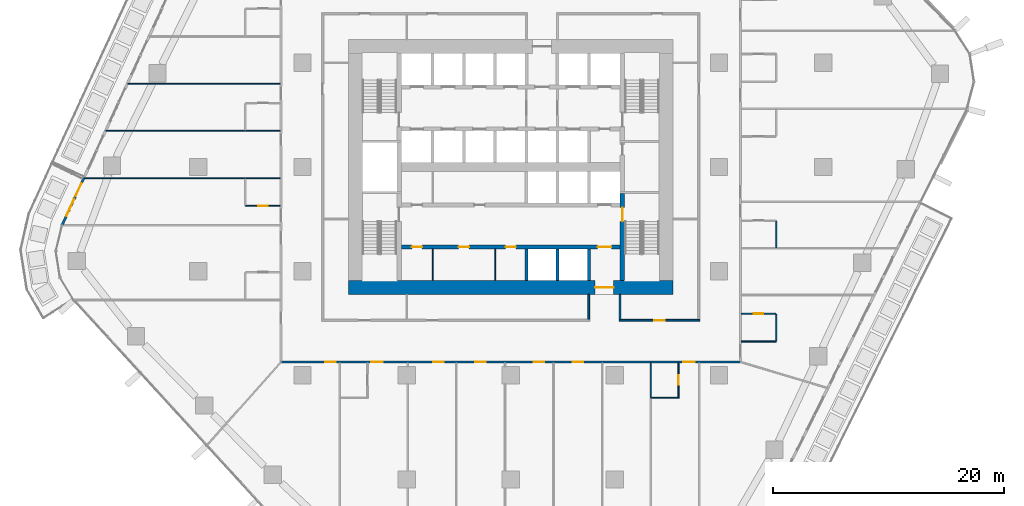
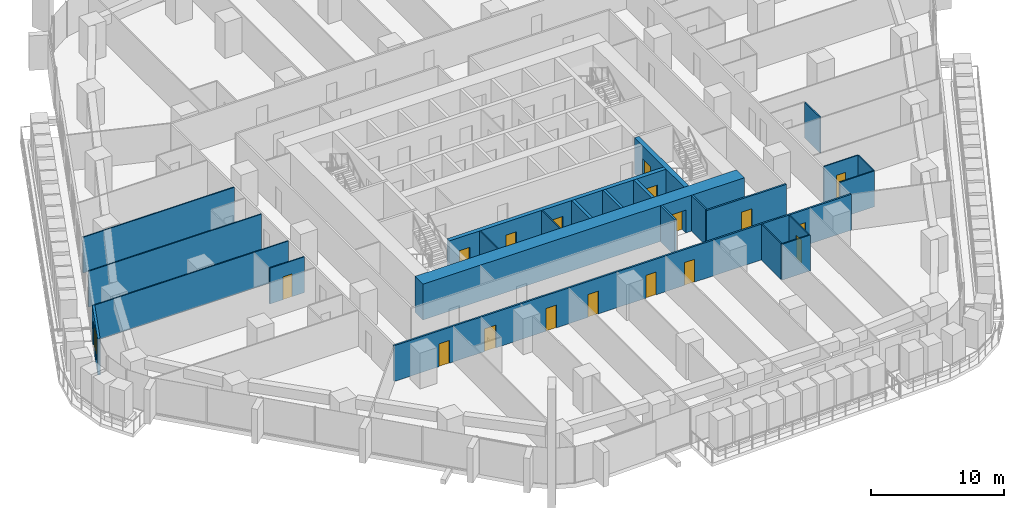
# One storey, part 14 of 27: 24 walls, 18 doors, 1 window, 19 openings.
"""IFC4 building model written with IfcOpenShell, lengths in metres."""

from ifc_helpers import new_model, si_unit, direction, frame, frame_2d, origin, place, context, subcontext, project, spatial, rectangle, extrude, material, layer, layer_set, type_object, element, fill, save


model = new_model("IFC4")

# Units and contexts
model_context = context("Model", 3, precision=1e-05, world=origin(), true_north=direction((0.0, 1.0)))
body_context = subcontext(model_context, "Body", "Model", "MODEL_VIEW")
ifc_project = project(units=[si_unit("LENGTHUNIT", "METRE"), si_unit("AREAUNIT", "SQUARE_METRE"), si_unit("VOLUMEUNIT", "CUBIC_METRE"), si_unit("PLANEANGLEUNIT", "RADIAN"), si_unit("MASSUNIT", "GRAM", prefix="KILO")], contexts=[model_context])

# Site, building, storey
site_placement = place(None, origin())
site = spatial("IfcSite", under=ifc_project, at=site_placement, CompositionType="ELEMENT")
building_placement = place(site_placement, origin())
building = spatial("IfcBuilding", under=site, at=building_placement, Name="Dongbaek Canopy Tower", CompositionType="ELEMENT")
storey_placement = place(building_placement, frame((0.0, 0.0, 55.10009765625)))
storey = spatial("IfcBuildingStorey", under=building, at=storey_placement, Name="L09", CompositionType="ELEMENT", Elevation=55.10009765625)

# Wall, openings, doors
ifc_material_1 = material(Name="Concrete C60/75", Category="concrete")
ifc_layer_1 = layer(ifc_material_1, 0.35009765625)
ifc_layer_set_1 = layer_set([ifc_layer_1], Name="Core lobby wall 350 Concrete C60/75")
wall_type_1 = type_object("IfcWallType", Name="Core lobby wall 350 Concrete C60/75", PredefinedType="SHEAR", material=ifc_layer_set_1)
wall_1_placement = place(storey_placement, frame((9.449951171875, -6.89990234375, 0.0), z_axis=(0.0, 0.0, 1.0), x_axis=(-1.0, 0.0, 0.0)))
wall_1 = element("IfcWall", 1, at=wall_1_placement, inside=storey, type_object=wall_type_1, Name="Core wall", PredefinedType="SHEAR", context=body_context, shape_type="SweptSolid", body=[
    extrude(rectangle(XDim=18.89990234375, YDim=0.35009765625, at=frame_2d((9.449951171875, 0.0))), origin(), (0.0, 0.0, 1.0), 3.2998046875),
])
opening_1_placement = place(wall_1_placement, frame((0.75, 0.0, 0.0)))
opening_1 = element("IfcOpeningElement", 2, at=opening_1_placement, cuts=wall_1, Name="Opening L09-D062", PredefinedType="OPENING", context=body_context, shape_type="SweptSolid", body=[
    extrude(rectangle(XDim=1.199951171875, YDim=2.10009765625, at=frame_2d((0.60009765625, 1.050048828125))), frame((0.0, 0.18505859375, 0.0), z_axis=(0.0, -1.0, 0.0), x_axis=(1.0, 0.0, 0.0)), (0.0, 0.0, 1.0), 0.3701171875),
])
opening_2_placement = place(wall_1_placement, frame((17.10009765625, 0.0, 0.0)))
opening_2 = element("IfcOpeningElement", 3, at=opening_2_placement, cuts=wall_1, Name="Opening L09-D065", PredefinedType="OPENING", context=body_context, shape_type="SweptSolid", body=[
    extrude(rectangle(XDim=0.89990234375, YDim=2.10009765625, at=frame_2d((0.449951171875, 1.050048828125))), frame((0.0, 0.18505859375, 0.0), z_axis=(0.0, -1.0, 0.0), x_axis=(1.0, 0.0, 0.0)), (0.0, 0.0, 1.0), 0.3701171875),
])
opening_3_placement = place(wall_1_placement, frame((13.050048828125, 0.0, 0.0)))
opening_3 = element("IfcOpeningElement", 4, at=opening_3_placement, cuts=wall_1, Name="Opening L09-D066", PredefinedType="OPENING", context=body_context, shape_type="SweptSolid", body=[
    extrude(rectangle(XDim=0.89990234375, YDim=2.10009765625, at=frame_2d((0.449951171875, 1.050048828125))), frame((0.0, 0.18505859375, 0.0), z_axis=(0.0, -1.0, 0.0), x_axis=(1.0, 0.0, 0.0)), (0.0, 0.0, 1.0), 0.3701171875),
])
opening_4_placement = place(wall_1_placement, frame((9.0, 0.0, 0.0)))
opening_4 = element("IfcOpeningElement", 5, at=opening_4_placement, cuts=wall_1, Name="Opening L09-D067", PredefinedType="OPENING", context=body_context, shape_type="SweptSolid", body=[
    extrude(rectangle(XDim=0.89990234375, YDim=2.10009765625, at=frame_2d((0.449951171875, 1.050048828125))), frame((0.0, 0.18505859375, 0.0), z_axis=(0.0, -1.0, 0.0), x_axis=(1.0, 0.0, 0.0)), (0.0, 0.0, 1.0), 0.3701171875),
])
ifc_material_2 = material(Name="Steel", Category="steel")
door_type_1 = type_object("IfcDoorType", Name="Core room door 900 x 2100", OperationType="SINGLE_SWING_LEFT", PredefinedType="DOOR", material=ifc_material_2)
door_1_placement = place(opening_2_placement, origin())
door_1 = element("IfcDoor", 6, at=door_1_placement, inside=storey, type_object=door_type_1, Name="Door L09-D065", OperationType="SINGLE_SWING_RIGHT", OverallHeight=2.10009765625, OverallWidth=0.89990234375, PredefinedType="DOOR", context=body_context, shape_type="SweptSolid", body=[
    extrude(rectangle(XDim=0.89990234375, YDim=2.10009765625, at=frame_2d((0.449951171875, 1.050048828125))), frame((0.0, 0.02490234375, 0.0), z_axis=(0.0, -1.0, 0.0), x_axis=(1.0, 0.0, 0.0)), (0.0, 0.0, 1.0), 0.050048828125),
])
fill(opening_2, door_1)
door_2_placement = place(opening_3_placement, origin())
door_2 = element("IfcDoor", 7, at=door_2_placement, inside=storey, type_object=door_type_1, Name="Door L09-D066", OperationType="SINGLE_SWING_LEFT", OverallHeight=2.10009765625, OverallWidth=0.89990234375, PredefinedType="DOOR", context=body_context, shape_type="SweptSolid", body=[
    extrude(rectangle(XDim=0.89990234375, YDim=2.10009765625, at=frame_2d((0.449951171875, 1.050048828125))), frame((0.0, 0.02490234375, 0.0), z_axis=(0.0, -1.0, 0.0), x_axis=(1.0, 0.0, 0.0)), (0.0, 0.0, 1.0), 0.050048828125),
])
fill(opening_3, door_2)
door_3_placement = place(opening_4_placement, origin())
door_3 = element("IfcDoor", 8, at=door_3_placement, inside=storey, type_object=door_type_1, Name="Door L09-D067", OperationType="SINGLE_SWING_RIGHT", OverallHeight=2.10009765625, OverallWidth=0.89990234375, PredefinedType="DOOR", context=body_context, shape_type="SweptSolid", body=[
    extrude(rectangle(XDim=0.89990234375, YDim=2.10009765625, at=frame_2d((0.449951171875, 1.050048828125))), frame((0.0, 0.02490234375, 0.0), z_axis=(0.0, -1.0, 0.0), x_axis=(1.0, 0.0, 0.0)), (0.0, 0.0, 1.0), 0.050048828125),
])
fill(opening_4, door_3)
ifc_material_3 = material(Name="Steel", Category="steel")
door_type_2 = type_object("IfcDoorType", Name="Fire lobby door 1200 x 2100", OperationType="SINGLE_SWING_LEFT", PredefinedType="DOOR", material=ifc_material_3)
door_4_placement = place(opening_1_placement, origin())
door_4 = element("IfcDoor", 9, at=door_4_placement, inside=storey, type_object=door_type_2, Name="Door L09-D062", OperationType="SINGLE_SWING_LEFT", OverallHeight=2.10009765625, OverallWidth=1.199951171875, PredefinedType="DOOR", context=body_context, shape_type="SweptSolid", body=[
    extrude(rectangle(XDim=1.199951171875, YDim=2.10009765625, at=frame_2d((0.60009765625, 1.050048828125))), frame((0.0, 0.02490234375, 0.0), z_axis=(0.0, -1.0, 0.0), x_axis=(1.0, 0.0, 0.0)), (0.0, 0.0, 1.0), 0.050048828125),
])
fill(opening_1, door_4)

# Wall, opening, door
ifc_material_4 = material(Name="Concrete C60/75", Category="concrete")
ifc_layer_2 = layer(ifc_material_4, 1.199951171875)
ifc_layer_set_2 = layer_set([ifc_layer_2], Name="Core outer wall 1200 Concrete C60/75")
wall_type_2 = type_object("IfcWallType", Name="Core outer wall 1200 Concrete C60/75", PredefinedType="SHEAR", material=ifc_layer_set_2)
wall_2_placement = place(storey_placement, frame((14.0, -10.39990234375, 0.0), z_axis=(0.0, 0.0, 1.0), x_axis=(-1.0, 0.0, 0.0)))
wall_2 = element("IfcWall", 10, at=wall_2_placement, inside=storey, type_object=wall_type_2, Name="Core wall", PredefinedType="SHEAR", context=body_context, shape_type="SweptSolid", body=[
    extrude(rectangle(XDim=28.0, YDim=1.199951171875, at=frame_2d((14.0, 0.0))), origin(), (0.0, 0.0, 1.0), 3.2998046875),
])
opening_5_placement = place(wall_2_placement, frame((5.10009765625, 0.0, 0.0)))
opening_5 = element("IfcOpeningElement", 11, at=opening_5_placement, cuts=wall_2, Name="Opening L09-D061", PredefinedType="OPENING", context=body_context, shape_type="SweptSolid", body=[
    extrude(rectangle(XDim=1.60009765625, YDim=2.10009765625, at=frame_2d((0.800048828125, 1.050048828125))), frame((0.0, 0.60986328125, 0.0), z_axis=(0.0, -1.0, 0.0), x_axis=(1.0, 0.0, 0.0)), (0.0, 0.0, 1.0), 1.219970703125),
])
ifc_material_5 = material(Name="Steel", Category="steel")
door_type_3 = type_object("IfcDoorType", Name="Core exit door 1600 x 2100", OperationType="DOUBLE_DOOR_SINGLE_SWING", PredefinedType="DOOR", material=ifc_material_5)
door_5_placement = place(opening_5_placement, origin())
door_5 = element("IfcDoor", 12, at=door_5_placement, inside=storey, type_object=door_type_3, Name="Core exit door", OperationType="DOUBLE_DOOR_SINGLE_SWING", OverallHeight=2.10009765625, OverallWidth=1.60009765625, PredefinedType="DOOR", context=body_context, shape_type="SweptSolid", body=[
    extrude(rectangle(XDim=1.60009765625, YDim=2.10009765625, at=frame_2d((0.800048828125, 1.050048828125))), frame((0.0, 0.02490234375, 0.0), z_axis=(0.0, -1.0, 0.0), x_axis=(1.0, 0.0, 0.0)), (0.0, 0.0, 1.0), 0.050048828125),
])
fill(opening_5, door_5)

# Wall, openings, doors
ifc_material_6 = material(Name="Gypsum board partition, steel stud, 2 x 15 mm fire board", Category="steel")
ifc_layer_3 = layer(ifc_material_6, 0.14990234375)
ifc_layer_set_3 = layer_set([ifc_layer_3], Name="Fire-rated partition 150 gypsum board")
wall_type_3 = type_object("IfcWallType", Name="Fire-rated partition 150 gypsum board", PredefinedType="PARTITIONING", material=ifc_layer_set_3)
wall_3_placement = place(storey_placement, frame((19.925048828125, -16.85009765625, 0.0), z_axis=(0.0, 0.0, 1.0), x_axis=(-1.0, 0.0, 0.0)))
wall_3 = element("IfcWall", 13, at=wall_3_placement, inside=storey, type_object=wall_type_3, Name="Corridor partition", PredefinedType="PARTITIONING", context=body_context, shape_type="SweptSolid", body=[
    extrude(rectangle(XDim=39.85009765625, YDim=0.14990234375, at=frame_2d((19.925048828125, 0.0))), origin(), (0.0, 0.0, 1.0), 3.2998046875),
])
opening_6_placement = place(wall_3_placement, frame((35.040771484375, 0.0, 0.0)))
opening_6 = element("IfcOpeningElement", 14, at=opening_6_placement, cuts=wall_3, Name="Opening L09-D006", PredefinedType="OPENING", context=body_context, shape_type="SweptSolid", body=[
    extrude(rectangle(XDim=0.89990234375, YDim=2.10009765625, at=frame_2d((0.449951171875, 1.050048828125))), frame((0.0, 0.0849609375, 0.0), z_axis=(0.0, -1.0, 0.0), x_axis=(1.0, 0.0, 0.0)), (0.0, 0.0, 1.0), 0.169921875),
])
opening_7_placement = place(wall_3_placement, frame((30.99951171875, 0.0, 0.0)))
opening_7 = element("IfcOpeningElement", 15, at=opening_7_placement, cuts=wall_3, Name="Opening L09-D008", PredefinedType="OPENING", context=body_context, shape_type="SweptSolid", body=[
    extrude(rectangle(XDim=1.0, YDim=2.10009765625, at=frame_2d((0.5, 1.050048828125))), frame((0.0, 0.0849609375, 0.0), z_axis=(0.0, -1.0, 0.0), x_axis=(1.0, 0.0, 0.0)), (0.0, 0.0, 1.0), 0.169921875),
])
opening_8_placement = place(wall_3_placement, frame((25.711181640625, 0.0, 0.0)))
opening_8 = element("IfcOpeningElement", 16, at=opening_8_placement, cuts=wall_3, Name="Opening L09-D009", PredefinedType="OPENING", context=body_context, shape_type="SweptSolid", body=[
    extrude(rectangle(XDim=0.89990234375, YDim=2.10009765625, at=frame_2d((0.449951171875, 1.050048828125))), frame((0.0, 0.0849609375, 0.0), z_axis=(0.0, -1.0, 0.0), x_axis=(1.0, 0.0, 0.0)), (0.0, 0.0, 1.0), 0.169921875),
])
opening_9_placement = place(wall_3_placement, frame((22.072021484375, 0.0, 0.0)))
opening_9 = element("IfcOpeningElement", 17, at=opening_9_placement, cuts=wall_3, Name="Opening L09-D010", PredefinedType="OPENING", context=body_context, shape_type="SweptSolid", body=[
    extrude(rectangle(XDim=0.89990234375, YDim=2.10009765625, at=frame_2d((0.449951171875, 1.050048828125))), frame((0.0, 0.0849609375, 0.0), z_axis=(0.0, -1.0, 0.0), x_axis=(1.0, 0.0, 0.0)), (0.0, 0.0, 1.0), 0.169921875),
])
opening_10_placement = place(wall_3_placement, frame((17.03369140625, 0.0, 0.0)))
opening_10 = element("IfcOpeningElement", 18, at=opening_10_placement, cuts=wall_3, Name="Opening L09-D011", PredefinedType="OPENING", context=body_context, shape_type="SweptSolid", body=[
    extrude(rectangle(XDim=0.89990234375, YDim=2.10009765625, at=frame_2d((0.449951171875, 1.050048828125))), frame((0.0, 0.0849609375, 0.0), z_axis=(0.0, -1.0, 0.0), x_axis=(1.0, 0.0, 0.0)), (0.0, 0.0, 1.0), 0.169921875),
])
opening_11_placement = place(wall_3_placement, frame((13.674560546875, 0.0, 0.0)))
opening_11 = element("IfcOpeningElement", 19, at=opening_11_placement, cuts=wall_3, Name="Opening L09-D012", PredefinedType="OPENING", context=body_context, shape_type="SweptSolid", body=[
    extrude(rectangle(XDim=0.89990234375, YDim=2.10009765625, at=frame_2d((0.449951171875, 1.050048828125))), frame((0.0, 0.0849609375, 0.0), z_axis=(0.0, -1.0, 0.0), x_axis=(1.0, 0.0, 0.0)), (0.0, 0.0, 1.0), 0.169921875),
])
opening_12_placement = place(wall_3_placement, frame((4.031494140625, 0.0, 0.0)))
opening_12 = element("IfcOpeningElement", 20, at=opening_12_placement, cuts=wall_3, Name="Opening L09-D014", PredefinedType="OPENING", context=body_context, shape_type="SweptSolid", body=[
    extrude(rectangle(XDim=1.0, YDim=2.10009765625, at=frame_2d((0.5, 1.050048828125))), frame((0.0, 0.0849609375, 0.0), z_axis=(0.0, -1.0, 0.0), x_axis=(1.0, 0.0, 0.0)), (0.0, 0.0, 1.0), 0.169921875),
])
ifc_material_7 = material(Name="Timber veneered door leaf", Category="wood")
door_type_4 = type_object("IfcDoorType", Name="Guest room door 1000 x 2100", OperationType="SINGLE_SWING_LEFT", PredefinedType="DOOR", material=ifc_material_7)
door_6_placement = place(opening_7_placement, origin())
door_6 = element("IfcDoor", 21, at=door_6_placement, inside=storey, type_object=door_type_4, Name="Door L09-D008", OperationType="SINGLE_SWING_RIGHT", OverallHeight=2.10009765625, OverallWidth=1.0, PredefinedType="DOOR", context=body_context, shape_type="SweptSolid", body=[
    extrude(rectangle(XDim=1.0, YDim=2.10009765625, at=frame_2d((0.5, 1.050048828125))), frame((0.0, 0.02490234375, 0.0), z_axis=(0.0, -1.0, 0.0), x_axis=(1.0, 0.0, 0.0)), (0.0, 0.0, 1.0), 0.050048828125),
])
fill(opening_7, door_6)
door_7_placement = place(opening_12_placement, origin())
door_7 = element("IfcDoor", 22, at=door_7_placement, inside=storey, type_object=door_type_4, Name="Door L09-D014", OperationType="SINGLE_SWING_RIGHT", OverallHeight=2.10009765625, OverallWidth=1.0, PredefinedType="DOOR", context=body_context, shape_type="SweptSolid", body=[
    extrude(rectangle(XDim=1.0, YDim=2.10009765625, at=frame_2d((0.5, 1.050048828125))), frame((0.0, 0.02490234375, 0.0), z_axis=(0.0, -1.0, 0.0), x_axis=(1.0, 0.0, 0.0)), (0.0, 0.0, 1.0), 0.050048828125),
])
fill(opening_12, door_7)
ifc_material_8 = material(Name="Timber veneered door leaf", Category="wood")
door_type_5 = type_object("IfcDoorType", Name="Room door 900 x 2100", OperationType="SINGLE_SWING_LEFT", PredefinedType="DOOR", material=ifc_material_8)
door_8_placement = place(opening_6_placement, origin())
door_8 = element("IfcDoor", 23, at=door_8_placement, inside=storey, type_object=door_type_5, Name="Door L09-D006", OperationType="SINGLE_SWING_LEFT", OverallHeight=2.10009765625, OverallWidth=0.89990234375, PredefinedType="DOOR", context=body_context, shape_type="SweptSolid", body=[
    extrude(rectangle(XDim=0.89990234375, YDim=2.10009765625, at=frame_2d((0.449951171875, 1.050048828125))), frame((0.0, 0.02490234375, 0.0), z_axis=(0.0, -1.0, 0.0), x_axis=(1.0, 0.0, 0.0)), (0.0, 0.0, 1.0), 0.050048828125),
])
fill(opening_6, door_8)
door_9_placement = place(opening_8_placement, origin())
door_9 = element("IfcDoor", 24, at=door_9_placement, inside=storey, type_object=door_type_5, Name="Door L09-D009", OperationType="SINGLE_SWING_LEFT", OverallHeight=2.10009765625, OverallWidth=0.89990234375, PredefinedType="DOOR", context=body_context, shape_type="SweptSolid", body=[
    extrude(rectangle(XDim=0.89990234375, YDim=2.10009765625, at=frame_2d((0.449951171875, 1.050048828125))), frame((0.0, 0.02490234375, 0.0), z_axis=(0.0, -1.0, 0.0), x_axis=(1.0, 0.0, 0.0)), (0.0, 0.0, 1.0), 0.050048828125),
])
fill(opening_8, door_9)
door_10_placement = place(opening_9_placement, origin())
door_10 = element("IfcDoor", 25, at=door_10_placement, inside=storey, type_object=door_type_5, Name="Door L09-D010", OperationType="SINGLE_SWING_RIGHT", OverallHeight=2.10009765625, OverallWidth=0.89990234375, PredefinedType="DOOR", context=body_context, shape_type="SweptSolid", body=[
    extrude(rectangle(XDim=0.89990234375, YDim=2.10009765625, at=frame_2d((0.449951171875, 1.050048828125))), frame((0.0, 0.02490234375, 0.0), z_axis=(0.0, -1.0, 0.0), x_axis=(1.0, 0.0, 0.0)), (0.0, 0.0, 1.0), 0.050048828125),
])
fill(opening_9, door_10)
door_11_placement = place(opening_10_placement, origin())
door_11 = element("IfcDoor", 26, at=door_11_placement, inside=storey, type_object=door_type_5, Name="Door L09-D011", OperationType="SINGLE_SWING_LEFT", OverallHeight=2.10009765625, OverallWidth=0.89990234375, PredefinedType="DOOR", context=body_context, shape_type="SweptSolid", body=[
    extrude(rectangle(XDim=0.89990234375, YDim=2.10009765625, at=frame_2d((0.449951171875, 1.050048828125))), frame((0.0, 0.02490234375, 0.0), z_axis=(0.0, -1.0, 0.0), x_axis=(1.0, 0.0, 0.0)), (0.0, 0.0, 1.0), 0.050048828125),
])
fill(opening_10, door_11)
door_12_placement = place(opening_11_placement, origin())
door_12 = element("IfcDoor", 27, at=door_12_placement, inside=storey, type_object=door_type_5, Name="Door L09-D012", OperationType="SINGLE_SWING_RIGHT", OverallHeight=2.10009765625, OverallWidth=0.89990234375, PredefinedType="DOOR", context=body_context, shape_type="SweptSolid", body=[
    extrude(rectangle(XDim=0.89990234375, YDim=2.10009765625, at=frame_2d((0.449951171875, 1.050048828125))), frame((0.0, 0.02490234375, 0.0), z_axis=(0.0, -1.0, 0.0), x_axis=(1.0, 0.0, 0.0)), (0.0, 0.0, 1.0), 0.050048828125),
])
fill(opening_11, door_12)

# Wall, opening, door
wall_4_placement = place(storey_placement, frame((9.375, -13.25, 0.0), z_axis=(0.0, 0.0, 1.0), x_axis=(1.0, 0.0, 0.0)))
wall_4 = element("IfcWall", 28, at=wall_4_placement, inside=storey, type_object=wall_type_3, Name="Corridor partition", PredefinedType="PARTITIONING", context=body_context, shape_type="SweptSolid", body=[
    extrude(rectangle(XDim=6.949951171875, YDim=0.14990234375, at=frame_2d((3.47509765625, 0.0))), origin(), (0.0, 0.0, 1.0), 3.2998046875),
])
opening_13_placement = place(wall_4_placement, frame((3.02490234375, 0.0, 0.0)))
opening_13 = element("IfcOpeningElement", 29, at=opening_13_placement, cuts=wall_4, Name="Opening L09-D038", PredefinedType="OPENING", context=body_context, shape_type="SweptSolid", body=[
    extrude(rectangle(XDim=0.89990234375, YDim=2.10009765625, at=frame_2d((0.449951171875, 1.050048828125))), frame((0.0, 0.0849609375, 0.0), z_axis=(0.0, -1.0, 0.0), x_axis=(1.0, 0.0, 0.0)), (0.0, 0.0, 1.0), 0.169921875),
])
door_13_placement = place(opening_13_placement, origin())
door_13 = element("IfcDoor", 30, at=door_13_placement, inside=storey, type_object=door_type_5, Name="Door L09-D038", OperationType="SINGLE_SWING_LEFT", OverallHeight=2.10009765625, OverallWidth=0.89990234375, PredefinedType="DOOR", context=body_context, shape_type="SweptSolid", body=[
    extrude(rectangle(XDim=0.89990234375, YDim=2.10009765625, at=frame_2d((0.449951171875, 1.050048828125))), frame((0.0, 0.02490234375, 0.0), z_axis=(0.0, -1.0, 0.0), x_axis=(1.0, 0.0, 0.0)), (0.0, 0.0, 1.0), 0.050048828125),
])
fill(opening_13, door_13)

# Walls
for number, where, z_axis, x_axis, name in (
    (31, (9.449951171875, -13.175048828125, 0.0), (0.0, 0.0, 1.0), (0.0, 1.0, 0.0), "Corridor partition"),
    (32, (6.75, -13.175048828125, 0.0), (0.0, 0.0, 1.0), (0.0, 1.0, 0.0), "Corridor partition"),
):
    element("IfcWall", number, at=place(storey_placement, frame(where, z_axis=z_axis, x_axis=x_axis)), inside=storey, type_object=wall_type_3, Name=name, PredefinedType="PARTITIONING", context=body_context, shape_type="SweptSolid", body=[
        extrude(rectangle(XDim=2.175048828125, YDim=0.14990234375, at=frame_2d((1.08740234375, 0.0))), origin(), (0.0, 0.0, 1.0), 3.2998046875),
    ])
ifc_material_9 = material(Name="Concrete C40/50", Category="concrete")
ifc_layer_4 = layer(ifc_material_9, 0.25)
ifc_layer_set_4 = layer_set([ifc_layer_4], Name="Lift shaft wall 250 Concrete C40/50")
wall_type_4 = type_object("IfcWallType", Name="Lift shaft wall 250 Concrete C40/50", PredefinedType="SOLIDWALL", material=ifc_layer_set_4)
for number, where, z_axis, x_axis, name in (
    (33, (6.75, -9.800048828125, 0.0), (0.0, 0.0, 1.0), (0.0, 1.0, 0.0), "Lift shaft wall"),
    (34, (4.050048828125, -9.800048828125, 0.0), (0.0, 0.0, 1.0), (0.0, 1.0, 0.0), "Lift shaft wall"),
    (35, (1.35009765625, -9.800048828125, 0.0), (0.0, 0.0, 1.0), (0.0, 1.0, 0.0), "Lift shaft wall"),
):
    element("IfcWall", number, at=place(storey_placement, frame(where, z_axis=z_axis, x_axis=x_axis)), inside=storey, type_object=wall_type_4, Name=name, PredefinedType="SOLIDWALL", context=body_context, shape_type="SweptSolid", body=[
        extrude(rectangle(XDim=2.72509765625, YDim=0.25, at=frame_2d((1.362548828125, 0.0))), origin(), (0.0, 0.0, 1.0), 3.2998046875),
    ])
ifc_material_10 = material(Name="Gypsum board partition, steel stud, 2 x 12.5 mm board", Category="steel")
ifc_layer_5 = layer(ifc_material_10, 0.10009765625)
ifc_layer_set_5 = layer_set([ifc_layer_5], Name="Partition 100 gypsum board")
wall_type_5 = type_object("IfcWallType", Name="Partition 100 gypsum board", PredefinedType="PARTITIONING", material=ifc_layer_set_5)
wall_5_placement = place(storey_placement, frame((12.0986328125, -19.949951171875, 0.0), z_axis=(0.0, 0.0, 1.0), x_axis=(1.0, 0.0, 0.0)))
element("IfcWall", 36, at=wall_5_placement, inside=storey, type_object=wall_type_5, Name="Partition", PredefinedType="PARTITIONING", context=body_context, shape_type="SweptSolid", body=[
    extrude(rectangle(XDim=2.449951171875, YDim=0.10009765625, at=frame_2d((1.22509765625, 0.0))), origin(), (0.0, 0.0, 1.0), 3.2998046875),
])
wall_6_placement = place(storey_placement, frame((19.925048828125, -15.0791015625, 0.0), z_axis=(0.0, 0.0, 1.0), x_axis=(1.0, 0.0, 0.0)))
element("IfcWall", 37, at=wall_6_placement, inside=storey, type_object=wall_type_5, Name="Partition", PredefinedType="PARTITIONING", context=body_context, shape_type="SweptSolid", body=[
    extrude(rectangle(XDim=3.02490234375, YDim=0.10009765625, at=frame_2d((1.512451171875, 0.0))), origin(), (0.0, 0.0, 1.0), 3.2998046875),
])

# Wall, opening, door
wall_7_placement = place(storey_placement, frame((22.89990234375, -12.678955078125, 0.0), z_axis=(0.0, 0.0, 1.0), x_axis=(-1.0, 0.0, 0.0)))
wall_7 = element("IfcWall", 38, at=wall_7_placement, inside=storey, type_object=wall_type_5, Name="Partition", PredefinedType="PARTITIONING", context=body_context, shape_type="SweptSolid", body=[
    extrude(rectangle(XDim=2.974853515625, YDim=0.10009765625, at=frame_2d((1.4873046875, 0.0))), origin(), (0.0, 0.0, 1.0), 3.2998046875),
])
opening_14_placement = place(wall_7_placement, frame((1.10009765625, 0.0, 0.0)))
opening_14 = element("IfcOpeningElement", 39, at=opening_14_placement, cuts=wall_7, Name="Opening L09-D015", PredefinedType="OPENING", context=body_context, shape_type="SweptSolid", body=[
    extrude(rectangle(XDim=0.800048828125, YDim=2.10009765625, at=frame_2d((0.39990234375, 1.050048828125))), frame((0.0, 0.06005859375, 0.0), z_axis=(0.0, -1.0, 0.0), x_axis=(1.0, 0.0, 0.0)), (0.0, 0.0, 1.0), 0.1201171875),
])
ifc_material_11 = material(Name="Timber veneered door leaf", Category="wood")
door_type_6 = type_object("IfcDoorType", Name="En-suite door 800 x 2100", OperationType="SINGLE_SWING_LEFT", PredefinedType="DOOR", material=ifc_material_11)
door_14_placement = place(opening_14_placement, origin())
door_14 = element("IfcDoor", 40, at=door_14_placement, inside=storey, type_object=door_type_6, Name="Door L09-D015", OperationType="SINGLE_SWING_LEFT", OverallHeight=2.10009765625, OverallWidth=0.800048828125, PredefinedType="DOOR", context=body_context, shape_type="SweptSolid", body=[
    extrude(rectangle(XDim=0.800048828125, YDim=2.10009765625, at=frame_2d((0.39990234375, 1.050048828125))), frame((0.0, 0.02490234375, 0.0), z_axis=(0.0, -1.0, 0.0), x_axis=(1.0, 0.0, 0.0)), (0.0, 0.0, 1.0), 0.050048828125),
])
fill(opening_14, door_14)

wall_8_placement = place(storey_placement, frame((-22.949951171875, -3.35693359375, 0.0), z_axis=(0.0, 0.0, 1.0), x_axis=(1.0, 0.0, 0.0)))
wall_8 = element("IfcWall", 41, at=wall_8_placement, inside=storey, type_object=wall_type_5, Name="Partition", PredefinedType="PARTITIONING", context=body_context, shape_type="SweptSolid", body=[
    extrude(rectangle(XDim=3.02490234375, YDim=0.10009765625, at=frame_2d((1.512451171875, 0.0))), origin(), (0.0, 0.0, 1.0), 3.2998046875),
])
opening_15_placement = place(wall_8_placement, frame((1.14990234375, 0.0, 0.0)))
opening_15 = element("IfcOpeningElement", 42, at=opening_15_placement, cuts=wall_8, Name="Opening L09-D001", PredefinedType="OPENING", context=body_context, shape_type="SweptSolid", body=[
    extrude(rectangle(XDim=0.800048828125, YDim=2.10009765625, at=frame_2d((0.39990234375, 1.050048828125))), frame((0.0, 0.06005859375, 0.0), z_axis=(0.0, -1.0, 0.0), x_axis=(1.0, 0.0, 0.0)), (0.0, 0.0, 1.0), 0.1201171875),
])
door_15_placement = place(opening_15_placement, origin())
door_15 = element("IfcDoor", 43, at=door_15_placement, inside=storey, type_object=door_type_6, Name="Door L09-D001", OperationType="SINGLE_SWING_LEFT", OverallHeight=2.10009765625, OverallWidth=0.800048828125, PredefinedType="DOOR", context=body_context, shape_type="SweptSolid", body=[
    extrude(rectangle(XDim=0.800048828125, YDim=2.10009765625, at=frame_2d((0.39990234375, 1.050048828125))), frame((0.0, 0.02490234375, 0.0), z_axis=(0.0, -1.0, 0.0), x_axis=(1.0, 0.0, 0.0)), (0.0, 0.0, 1.0), 0.050048828125),
])
fill(opening_15, door_15)

# Walls
wall_9_placement = place(storey_placement, frame((-36.869873046875, -0.95703125, 0.0), z_axis=(0.0, 0.0, 1.0), x_axis=(1.0, 0.0, 0.0)))
element("IfcWall", 44, at=wall_9_placement, inside=storey, type_object=wall_type_5, Name="Partition", PredefinedType="PARTITIONING", context=body_context, shape_type="SweptSolid", body=[
    extrude(rectangle(XDim=16.94482421875, YDim=0.10009765625, at=frame_2d((8.472412109375, 0.0))), origin(), (0.0, 0.0, 1.0), 3.2998046875),
])
wall_10_placement = place(storey_placement, frame((-34.988037109375, 3.123046875, 0.0), z_axis=(0.0, 0.0, 1.0), x_axis=(1.0, 0.0, 0.0)))
element("IfcWall", 45, at=wall_10_placement, inside=storey, type_object=wall_type_5, Name="Partition", PredefinedType="PARTITIONING", context=body_context, shape_type="SweptSolid", body=[
    extrude(rectangle(XDim=15.06298828125, YDim=0.10009765625, at=frame_2d((7.531494140625, 0.0))), origin(), (0.0, 0.0, 1.0), 3.2998046875),
])
wall_11_placement = place(storey_placement, frame((-33.106201171875, 7.202880859375, 0.0), z_axis=(0.0, 0.0, 1.0), x_axis=(1.0, 0.0, 0.0)))
element("IfcWall", 46, at=wall_11_placement, inside=storey, type_object=wall_type_5, Name="Partition", PredefinedType="PARTITIONING", context=body_context, shape_type="SweptSolid", body=[
    extrude(rectangle(XDim=13.18115234375, YDim=0.10009765625, at=frame_2d((6.590576171875, 0.0))), origin(), (0.0, 0.0, 1.0), 3.2998046875),
])
wall_12_placement = place(storey_placement, frame((22.949951171875, -15.028564453125, 0.0), z_axis=(0.0, 0.0, 1.0), x_axis=(0.0, 1.0, 0.0)))
element("IfcWall", 47, at=wall_12_placement, inside=storey, type_object=wall_type_5, Name="Partition", PredefinedType="PARTITIONING", context=body_context, shape_type="SweptSolid", body=[
    extrude(rectangle(XDim=2.300048828125, YDim=0.10009765625, at=frame_2d((1.14990234375, 0.0))), origin(), (0.0, 0.0, 1.0), 3.2998046875),
])
wall_13_placement = place(storey_placement, frame((22.949951171875, -6.97998046875, 0.0), z_axis=(0.0, 0.0, 1.0), x_axis=(0.0, 1.0, 0.0)))
element("IfcWall", 48, at=wall_13_placement, inside=storey, type_object=wall_type_5, Name="Partition", PredefinedType="PARTITIONING", context=body_context, shape_type="SweptSolid", body=[
    extrude(rectangle(XDim=2.299560546875, YDim=0.10009765625, at=frame_2d((1.14990234375, 0.0))), origin(), (0.0, 0.0, 1.0), 3.2998046875),
])

# Wall, opening, door
wall_14_placement = place(storey_placement, frame((14.4990234375, -19.949951171875, 0.0), z_axis=(0.0, 0.0, 1.0), x_axis=(0.0, 1.0, 0.0)))
wall_14 = element("IfcWall", 49, at=wall_14_placement, inside=storey, type_object=wall_type_5, Name="Partition", PredefinedType="PARTITIONING", context=body_context, shape_type="SweptSolid", body=[
    extrude(rectangle(XDim=3.02490234375, YDim=0.10009765625, at=frame_2d((1.512451171875, 0.0))), origin(), (0.0, 0.0, 1.0), 3.2998046875),
])
opening_16_placement = place(wall_14_placement, frame((1.14990234375, 0.0, 0.0)))
opening_16 = element("IfcOpeningElement", 50, at=opening_16_placement, cuts=wall_14, Name="Opening L09-D013", PredefinedType="OPENING", context=body_context, shape_type="SweptSolid", body=[
    extrude(rectangle(XDim=0.800048828125, YDim=2.10009765625, at=frame_2d((0.39990234375, 1.050048828125))), frame((0.0, 0.06005859375, 0.0), z_axis=(0.0, -1.0, 0.0), x_axis=(1.0, 0.0, 0.0)), (0.0, 0.0, 1.0), 0.1201171875),
])
door_16_placement = place(opening_16_placement, origin())
door_16 = element("IfcDoor", 51, at=door_16_placement, inside=storey, type_object=door_type_6, Name="Door L09-D013", OperationType="SINGLE_SWING_LEFT", OverallHeight=2.10009765625, OverallWidth=0.800048828125, PredefinedType="DOOR", context=body_context, shape_type="SweptSolid", body=[
    extrude(rectangle(XDim=0.800048828125, YDim=2.10009765625, at=frame_2d((0.39990234375, 1.050048828125))), frame((0.0, 0.02490234375, 0.0), z_axis=(0.0, -1.0, 0.0), x_axis=(1.0, 0.0, 0.0)), (0.0, 0.0, 1.0), 0.050048828125),
])
fill(opening_16, door_16)

# Walls
wall_15_placement = place(storey_placement, frame((12.09912109375, -19.89990234375, 0.0), z_axis=(0.0, 0.0, 1.0), x_axis=(0.0, 1.0, 0.0)))
element("IfcWall", 52, at=wall_15_placement, inside=storey, type_object=wall_type_5, Name="Partition", PredefinedType="PARTITIONING", context=body_context, shape_type="SweptSolid", body=[
    extrude(rectangle(XDim=2.974853515625, YDim=0.10009765625, at=frame_2d((1.4873046875, 0.0))), origin(), (0.0, 0.0, 1.0), 3.2998046875),
])
for number, where, z_axis, x_axis, name in (
    (53, (-1.35009765625, -9.800048828125, 0.0), (0.0, 0.0, 1.0), (0.0, 1.0, 0.0), "Core partition"),
    (54, (-6.75, -9.800048828125, 0.0), (0.0, 0.0, 1.0), (0.0, 1.0, 0.0), "Core partition"),
):
    element("IfcWall", number, at=place(storey_placement, frame(where, z_axis=z_axis, x_axis=x_axis)), inside=storey, type_object=wall_type_5, Name=name, PredefinedType="PARTITIONING", context=body_context, shape_type="SweptSolid", body=[
        extrude(rectangle(XDim=2.72509765625, YDim=0.10009765625, at=frame_2d((1.362548828125, 0.0))), origin(), (0.0, 0.0, 1.0), 3.2998046875),
    ])

# Wall, opening, door
ifc_material_12 = material(Name="Concrete C60/75", Category="concrete")
ifc_layer_6 = layer(ifc_material_12, 0.39990234375)
ifc_layer_set_6 = layer_set([ifc_layer_6], Name="Stair wall 400 Concrete C60/75")
wall_type_6 = type_object("IfcWallType", Name="Stair wall 400 Concrete C60/75", PredefinedType="SHEAR", material=ifc_layer_set_6)
wall_16_placement = place(storey_placement, frame((9.64990234375, -2.300048828125, 0.0), z_axis=(0.0, 0.0, 1.0), x_axis=(0.0, -1.0, 0.0)))
wall_16 = element("IfcWall", 55, at=wall_16_placement, inside=storey, type_object=wall_type_6, Name="Stair wall", PredefinedType="SHEAR", context=body_context, shape_type="SweptSolid", body=[
    extrude(rectangle(XDim=7.5, YDim=0.39990234375, at=frame_2d((3.75, 0.0))), origin(), (0.0, 0.0, 1.0), 3.2998046875),
])
opening_17_placement = place(wall_16_placement, frame((1.199951171875, 0.0, 0.0)))
opening_17 = element("IfcOpeningElement", 56, at=opening_17_placement, cuts=wall_16, Name="Opening L09-D070", PredefinedType="OPENING", context=body_context, shape_type="SweptSolid", body=[
    extrude(rectangle(XDim=1.199951171875, YDim=2.10009765625, at=frame_2d((0.60009765625, 1.050048828125))), frame((0.0, 0.2099609375, 0.0), z_axis=(0.0, -1.0, 0.0), x_axis=(1.0, 0.0, 0.0)), (0.0, 0.0, 1.0), 0.419921875),
])
ifc_material_13 = material(Name="Steel", Category="steel")
door_type_7 = type_object("IfcDoorType", Name="Stair door 1200 x 2100", OperationType="SINGLE_SWING_LEFT", PredefinedType="DOOR", material=ifc_material_13)
door_17_placement = place(opening_17_placement, origin())
door_17 = element("IfcDoor", 57, at=door_17_placement, inside=storey, type_object=door_type_7, Name="Stair B door", OperationType="SINGLE_SWING_RIGHT", OverallHeight=2.10009765625, OverallWidth=1.199951171875, PredefinedType="DOOR", context=body_context, shape_type="SweptSolid", body=[
    extrude(rectangle(XDim=1.199951171875, YDim=2.10009765625, at=frame_2d((0.60009765625, 1.050048828125))), frame((0.0, 0.02490234375, 0.0), z_axis=(0.0, -1.0, 0.0), x_axis=(1.0, 0.0, 0.0)), (0.0, 0.0, 1.0), 0.050048828125),
])
fill(opening_17, door_17)

# Wall, openings, door, window
ifc_material_14 = material(Name="Aluminium window wall", Category="aluminium")
ifc_layer_7 = layer(ifc_material_14, 0.199951171875)
ifc_layer_set_7 = layer_set([ifc_layer_7], Name="Window wall 200")
wall_type_7 = type_object("IfcWallType", Name="Window wall 200", PredefinedType="SOLIDWALL", material=ifc_layer_set_7)
wall_17_placement = place(storey_placement, frame((-36.891845703125, -0.956787109375, 0.0), z_axis=(0.0, 0.0, 1.0), x_axis=(-0.418806078916, -0.908075695228, 0.0)))
wall_17 = element("IfcWall", 58, at=wall_17_placement, inside=storey, type_object=wall_type_7, Name="Window wall L09 7", PredefinedType="SOLIDWALL", context=body_context, shape_type="SweptSolid", body=[
    extrude(rectangle(XDim=4.4833984375, YDim=0.199951171875, at=frame_2d((2.24169921875, 0.0))), origin(), (0.0, 0.0, 1.0), 3.2998046875),
])
opening_18_placement = place(wall_17_placement, frame((2.0, 0.0, 0.60009765625)))
opening_18 = element("IfcOpeningElement", 59, at=opening_18_placement, cuts=wall_17, Name="Opening W1", PredefinedType="OPENING", context=body_context, shape_type="SweptSolid", body=[
    extrude(rectangle(XDim=1.60009765625, YDim=2.39990234375, at=frame_2d((0.800048828125, 1.199951171875))), frame((0.0, 0.10986328125, 0.0), z_axis=(0.0, -1.0, 0.0), x_axis=(1.0, 0.0, 0.0)), (0.0, 0.0, 1.0), 0.219970703125),
])
opening_19_placement = place(wall_17_placement, frame((0.5, 0.0, 0.0)))
opening_19 = element("IfcOpeningElement", 60, at=opening_19_placement, cuts=wall_17, Name="Opening L09-B17", PredefinedType="OPENING", context=body_context, shape_type="SweptSolid", body=[
    extrude(rectangle(XDim=1.199951171875, YDim=2.39990234375, at=frame_2d((0.60009765625, 1.199951171875))), frame((0.0, 0.10986328125, 0.0), z_axis=(0.0, -1.0, 0.0), x_axis=(1.0, 0.0, 0.0)), (0.0, 0.0, 1.0), 0.219970703125),
])
ifc_material_15 = material(Name="Clear glazing in aluminium frame", Category="aluminium")
door_type_8 = type_object("IfcDoorType", Name="Balcony door BD1 1200 x 2400", OperationType="SLIDING_TO_LEFT", PredefinedType="DOOR", material=ifc_material_15)
door_18_placement = place(opening_19_placement, origin())
door_18 = element("IfcDoor", 61, at=door_18_placement, inside=storey, type_object=door_type_8, Name="Balcony door L09-B17", OperationType="SLIDING_TO_LEFT", OverallHeight=2.39990234375, OverallWidth=1.199951171875, PredefinedType="DOOR", context=body_context, shape_type="SweptSolid", body=[
    extrude(rectangle(XDim=1.199951171875, YDim=2.39990234375, at=frame_2d((0.60009765625, 1.199951171875))), frame((0.0, 0.02490234375, 0.0), z_axis=(0.0, -1.0, 0.0), x_axis=(1.0, 0.0, 0.0)), (0.0, 0.0, 1.0), 0.050048828125),
])
fill(opening_19, door_18)
ifc_material_16 = material(Name="Clear glazing in aluminium frame", Category="aluminium")
window_type = type_object("IfcWindowType", Name="Window W1 1600 x 2400", PartitioningType="SINGLE_PANEL", PredefinedType="WINDOW", material=ifc_material_16)
window_placement = place(opening_18_placement, origin())
window = element("IfcWindow", 62, at=window_placement, inside=storey, type_object=window_type, Name="Window L09 7.1", OverallHeight=2.39990234375, OverallWidth=1.60009765625, PartitioningType="SINGLE_PANEL", PredefinedType="WINDOW", context=body_context, shape_type="SweptSolid", body=[
    extrude(rectangle(XDim=1.60009765625, YDim=2.39990234375, at=frame_2d((0.800048828125, 1.199951171875))), frame((0.0, 0.030029296875, 0.0), z_axis=(0.0, -1.0, 0.0), x_axis=(1.0, 0.0, 0.0)), (0.0, 0.0, 1.0), 0.06005859375),
])
fill(opening_18, window)

save(model, "model.ifc")
